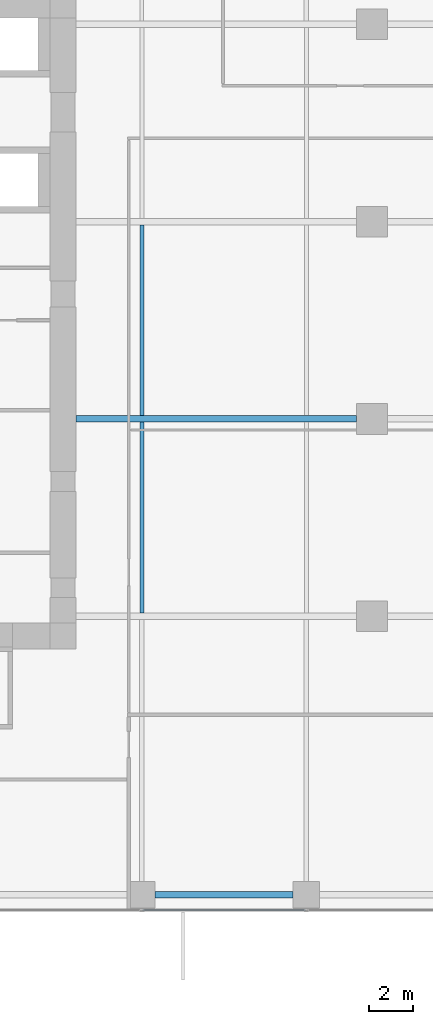
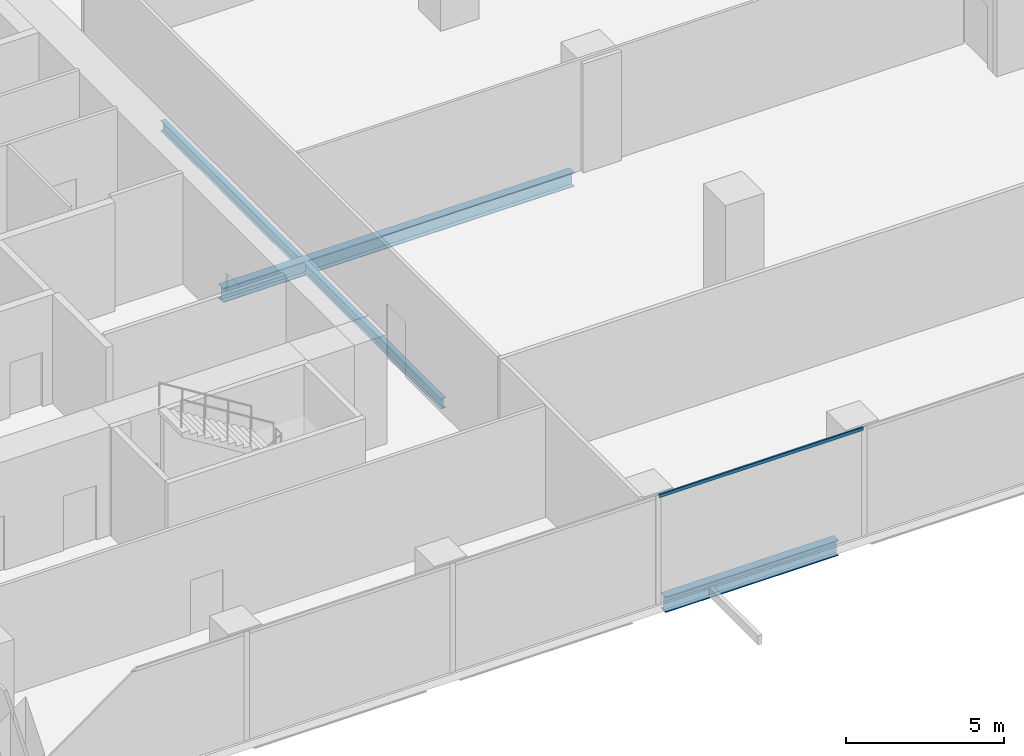
# One storey, part 6 of 33: 4 beams, 1 member, 1 element without a shape of its own.
"""IFC4 building model written with IfcOpenShell, lengths in metres."""

from ifc_helpers import new_model, si_unit, direction, frame, origin, origin_2d, place, context, subcontext, project, spatial, hollow_rectangle, i_section, extrude, source, transform, mapped, material, material_profile, profile_set, type_object, element, aggregate, save


model = new_model("IFC4")

# Units and contexts
model_context = context("Model", 3, precision=1e-05, world=origin(), true_north=direction((0.0, 1.0)))
body_context = subcontext(model_context, "Body", "Model", "MODEL_VIEW")
ifc_project = project(units=[si_unit("LENGTHUNIT", "METRE"), si_unit("AREAUNIT", "SQUARE_METRE"), si_unit("VOLUMEUNIT", "CUBIC_METRE"), si_unit("PLANEANGLEUNIT", "RADIAN"), si_unit("MASSUNIT", "GRAM", prefix="KILO")], contexts=[model_context])

# Site, building, storey
site_placement = place(None, origin())
site = spatial("IfcSite", under=ifc_project, at=site_placement, CompositionType="ELEMENT")
building_placement = place(site_placement, origin())
building = spatial("IfcBuilding", under=site, at=building_placement, Name="Khomas Fold Tower", CompositionType="ELEMENT")
storey_placement = place(building_placement, frame((0.0, 0.0, 82.5)))
storey = spatial("IfcBuildingStorey", under=building, at=storey_placement, Name="L17", CompositionType="ELEMENT", Elevation=82.5)

# Beams
ifc_material_1 = material(Name="Steel S355", Category="steel")
ifc_material_profile_1 = material_profile(ifc_material_1, i_section(OverallWidth=0.300048828125, OverallDepth=0.550048828125, WebThickness=0.014892578125, FlangeThickness=0.029052734375, at=origin_2d()), Name="HE 550 B")
ifc_profile_set_1 = profile_set([ifc_material_profile_1], Name="Steel S355")
beam_type_1 = type_object("IfcBeamType", Name="HE 550 B beam GB4", PredefinedType="BEAM", material=ifc_profile_set_1)
shared_shape_1 = source(origin(), body_context, "Body", "SweptSolid", [
    extrude(i_section(OverallWidth=0.300048828125, OverallDepth=0.550048828125, WebThickness=0.014892578125, FlangeThickness=0.029052734375, at=origin_2d()), origin(), (0.0, 0.0, 1.0), 12.800048828125),
])
beam_1_placement = place(storey_placement, frame((24.0, 22.5, -0.574951171875), z_axis=(1.0, 0.0, 0.0), x_axis=(0.0, 1.0, 0.0)))
element("IfcBeam", 1, at=beam_1_placement, inside=storey, type_object=beam_type_1, Name="GB4", PredefinedType="BEAM", context=body_context, shape_type="MappedRepresentation", body=[
    mapped(shared_shape_1, transform((0.0, 0.0, 0.0))),
])
ifc_material_2 = material(Name="Steel S355", Category="steel")
ifc_material_profile_2 = material_profile(ifc_material_2, i_section(OverallWidth=0.179931640625, OverallDepth=0.39990234375, WebThickness=0.008544921875, FlangeThickness=0.013427734375, at=origin_2d()), Name="IPE 400")
ifc_profile_set_2 = profile_set([ifc_material_profile_2], Name="Steel S355")
beam_type_2 = type_object("IfcBeamType", Name="IPE 400 beam JB3", PredefinedType="BEAM", material=ifc_profile_set_2)
shared_shape_2 = source(origin(), body_context, "Body", "SweptSolid", [
    extrude(i_section(OverallWidth=0.179931640625, OverallDepth=0.39990234375, WebThickness=0.008544921875, FlangeThickness=0.013427734375, at=origin_2d()), origin(), (0.0, 0.0, 1.0), 8.7001953125),
])
for number, where, z_axis, x_axis, name in (
    (2, (27.0, 13.64990234375, -0.5), (0.0, 1.0, 0.0), (-1.0, 0.0, 0.0), "JB3"),
    (3, (27.0, 22.64990234375, -0.5), (0.0, 1.0, 0.0), (-1.0, 0.0, 0.0), "JB3"),
):
    element("IfcBeam", number, at=place(storey_placement, frame(where, z_axis=z_axis, x_axis=x_axis)), inside=storey, type_object=beam_type_2, Name=name, PredefinedType="BEAM", context=body_context, shape_type="MappedRepresentation", body=[
        mapped(shared_shape_2, transform((0.0, 0.0, 0.0))),
    ])
ifc_material_3 = material(Name="Steel S355", Category="steel")
ifc_material_profile_3 = material_profile(ifc_material_3, i_section(OverallWidth=0.300048828125, OverallDepth=0.60009765625, WebThickness=0.015380859375, FlangeThickness=0.030029296875, at=origin_2d()), Name="HE 600 B")
ifc_profile_set_3 = profile_set([ifc_material_profile_3], Name="Steel S355")
beam_type_3 = type_object("IfcBeamType", Name="HE 600 B spandrel SB1", PredefinedType="SPANDREL", material=ifc_profile_set_3)
shared_shape_3 = source(origin(), body_context, "Body", "SweptSolid", [
    extrude(i_section(OverallWidth=0.300048828125, OverallDepth=0.60009765625, WebThickness=0.015380859375, FlangeThickness=0.030029296875, at=origin_2d()), origin(), (0.0, 0.0, 1.0), 6.2998046875),
])
beam_2_placement = place(storey_placement, frame((27.60009765625, 0.800048828125, -0.60009765625), z_axis=(1.0, 0.0, 0.0), x_axis=(0.0, 1.0, 0.0)))
element("IfcBeam", 4, at=beam_2_placement, inside=storey, type_object=beam_type_3, Name="SB1", PredefinedType="SPANDREL", context=body_context, shape_type="MappedRepresentation", body=[
    mapped(shared_shape_3, transform((0.0, 0.0, 0.0))),
])

# Curtain wall, member
ifc_material_4 = material(Name="Aluminium framed double glazing", Category="aluminium")
curtain_wall_type = type_object("IfcCurtainWallType", Name="SK-Unitised clear-glass wall, growing floors CW1", PredefinedType="NOTDEFINED", material=ifc_material_4)
curtain_wall_placement = place(storey_placement, origin())
curtain_wall = element("IfcCurtainWall", 5, at=curtain_wall_placement, inside=storey, type_object=curtain_wall_type, Name="CW1 run L17 00-0", PredefinedType="NOTDEFINED")
ifc_material_5 = material(Name="Aluminium", Category="aluminium")
ifc_material_profile_4 = material_profile(ifc_material_5, hollow_rectangle(XDim=0.06005859375, YDim=0.1201171875, WallThickness=0.00390625, at=origin_2d()), Name="SK-Unitised clear-glass wall, growing floors transom CW1-T")
ifc_profile_set_4 = profile_set([ifc_material_profile_4], Name="Aluminium")
member_type = type_object("IfcMemberType", Name="SK-Unitised clear-glass wall, growing floors transom CW1-T", PredefinedType="USERDEFINED", material=ifc_profile_set_4)
shared_shape_4 = source(origin(), body_context, "Body", "SweptSolid", [
    extrude(hollow_rectangle(XDim=0.06005859375, YDim=0.1201171875, WallThickness=0.00390625, at=origin_2d()), origin(), (0.0, 0.0, 1.0), 7.43994140625),
])
member_placement = place(storey_placement, frame((27.030029296875, 0.10009765625, 4.139892578125), z_axis=(1.0, 0.0, 0.0), x_axis=(0.0, 1.0, 0.0)))
member = element("IfcMember", 6, at=member_placement, type_object=member_type, Name="CW1 transom 5", ObjectType="TRANSOM", PredefinedType="USERDEFINED", context=body_context, shape_type="MappedRepresentation", body=[
    mapped(shared_shape_4, transform((0.0, 0.0, 0.0))),
])
aggregate(curtain_wall, [member])

save(model, "model.ifc")
